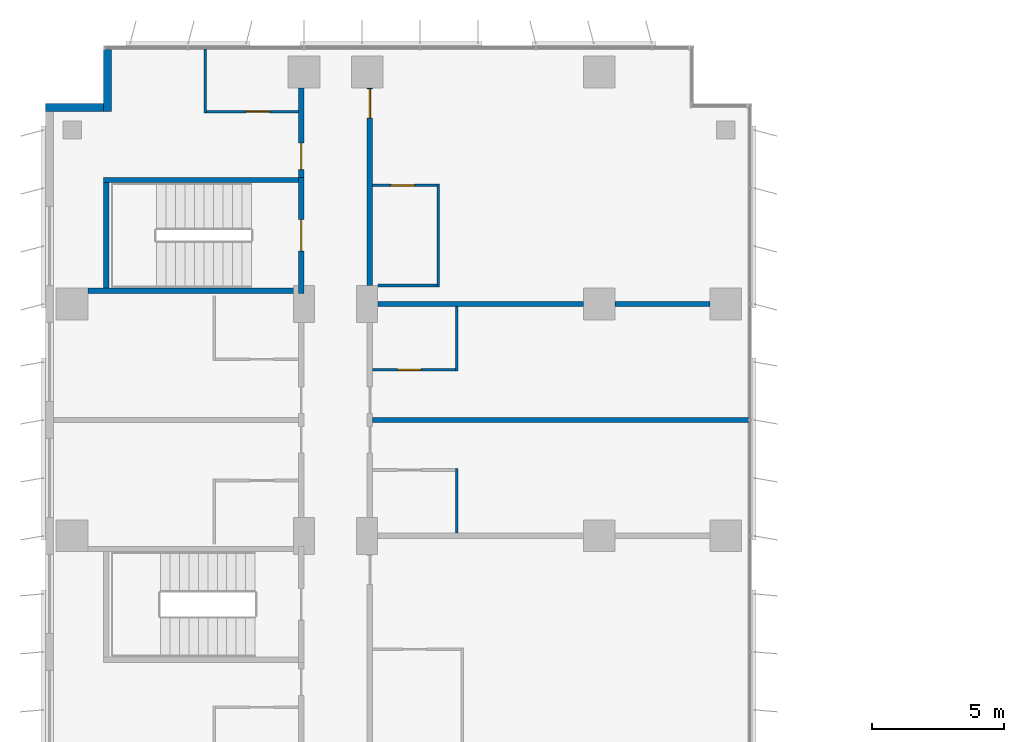
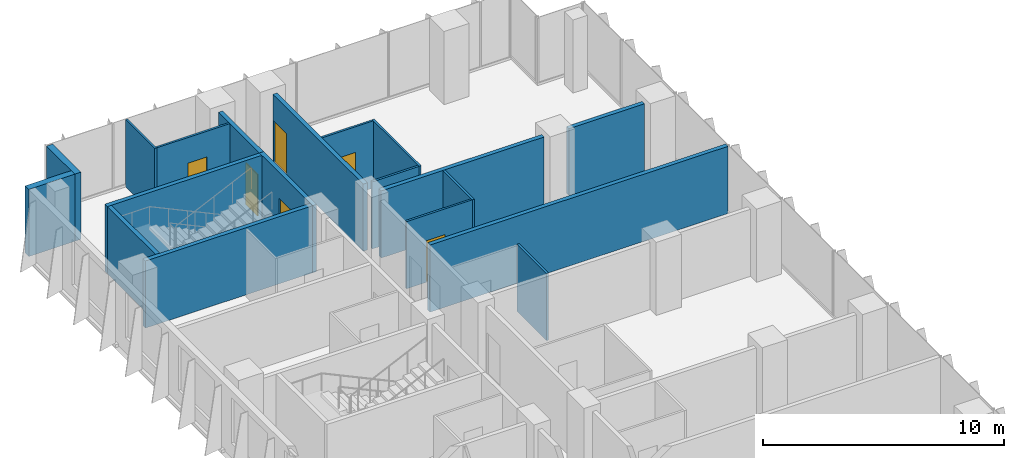
# One storey, part 18 of 23: 19 walls, 6 doors, 6 openings.
"""IFC4 building model written with IfcOpenShell, lengths in metres."""

import ifcopenshell
import ifcopenshell.guid

model = None  # the IFC model being written
_history = None  # IfcOwnerHistory: only IFC2X3 demands one
_inside = {}  # id of a spatial element -> (the spatial element, [elements in it])
_under = {}  # id of a project, library or spatial element -> (it, [spatial elements below it])
_declared = {}  # id of a project -> (the project, [libraries it declares])
_typed = {}  # id of a type object -> (the type object, [elements of that type])
_made_of = {}  # id of a material, layer set ... -> (it, [elements and type objects made of it])


def new_model(schema):
    """Start an empty IFC model of exactly this schema.

    Asked for "IFC4X3", IfcOpenShell would pick the latest addendum, in which some entities
    have other attributes; the version numbers below select the first issue.
    IFC2X3 requires an IfcOwnerHistory on every rooted entity: one is made here for all.
    """
    global model, _history
    if schema == "IFC4X3":
        model = ifcopenshell.file(schema_version=(4, 3, 0, 0))
    else:
        model = ifcopenshell.file(schema=schema)
    _inside.clear()
    _under.clear()
    _declared.clear()
    _typed.clear()
    _made_of.clear()
    _history = None
    if model.schema == "IFC2X3":
        org = make("IfcOrganization", Name="unknown")
        user = make(
            "IfcPersonAndOrganization",
            ThePerson=make("IfcPerson", FamilyName="unknown"),
            TheOrganization=org,
        )
        app = make(
            "IfcApplication",
            ApplicationDeveloper=org,
            Version="unknown",
            ApplicationFullName="unknown",
            ApplicationIdentifier="unknown",
        )
        _history = make(
            "IfcOwnerHistory",
            OwningUser=user,
            OwningApplication=app,
            ChangeAction="ADDED",
            CreationDate=0,
        )
    return model


def make(cls, **values):
    """One entity of the class cls with the attributes given. An attribute that is None is left unset."""
    return model.create_entity(
        cls, **{name: value for name, value in values.items() if value is not None}
    )


def rooted(cls, **values):
    """An entity with a GlobalId (a new one), such as an element, a storey or a relation."""
    return make(cls, GlobalId=ifcopenshell.guid.new(), OwnerHistory=_history, **values)


def si_unit(unit_type, name, prefix=None):
    """IfcSIUnit, for example si_unit("LENGTHUNIT", "METRE", prefix="MILLI")."""
    return make("IfcSIUnit", UnitType=unit_type, Prefix=prefix, Name=name)


def assignment(units):
    """IfcUnitAssignment: the units of a project."""
    return None if units is None else make("IfcUnitAssignment", Units=units)


def point(xyz):
    """IfcCartesianPoint."""
    return None if xyz is None else make("IfcCartesianPoint", Coordinates=xyz)


def direction(xyz):
    """IfcDirection."""
    return None if xyz is None else make("IfcDirection", DirectionRatios=xyz)


def frame(location, z_axis=None, x_axis=None):
    """IfcAxis2Placement3D, a coordinate frame: its origin and axes. An axis left out is left unset."""
    return make(
        "IfcAxis2Placement3D",
        Location=point(location),
        Axis=direction(z_axis),
        RefDirection=direction(x_axis),
    )


def frame_2d(location, x_axis=None):
    """IfcAxis2Placement2D, a coordinate frame in the plane: its origin and x axis."""
    return make(
        "IfcAxis2Placement2D", Location=point(location), RefDirection=direction(x_axis)
    )


def origin():
    """The frame at (0, 0, 0) with its axes left unset."""
    return frame((0.0, 0.0, 0.0))


def place(relative_to, where):
    """IfcLocalPlacement: puts the frame where relative to a parent placement (None: the world)."""
    return make(
        "IfcLocalPlacement", PlacementRelTo=relative_to, RelativePlacement=where
    )


def context(
    kind, dimensions, precision=None, world=None, true_north=None, identifier=None
):
    """IfcGeometricRepresentationContext, for example the 3D "Model" context."""
    return make(
        "IfcGeometricRepresentationContext",
        ContextIdentifier=identifier,
        ContextType=kind,
        CoordinateSpaceDimension=dimensions,
        Precision=precision,
        WorldCoordinateSystem=world,
        TrueNorth=true_north,
    )


def subcontext(parent, identifier, kind, view, scale=None):
    """IfcGeometricRepresentationSubContext, for example "Body" below "Model"."""
    return make(
        "IfcGeometricRepresentationSubContext",
        ContextIdentifier=identifier,
        ContextType=kind,
        ParentContext=parent,
        TargetScale=scale,
        TargetView=view,
    )


def project(units=None, contexts=None):
    """IfcProject with its units and contexts."""
    return rooted(
        "IfcProject",
        Name="project",
        RepresentationContexts=contexts,
        UnitsInContext=assignment(units),
    )


def spatial(cls, under=None, at=None, **own):
    """A site, building, storey or space (cls), placed at a placement, below another one or the project."""
    s = rooted(cls, ObjectPlacement=at, **own)
    if under is not None:
        _under.setdefault(under.id(), (under, []))[1].append(s)
    return s


def profile(cls, at=None, kind="AREA", **sizes):
    """A parametric profile (cls). Its sizes go by their IFC names, for example OverallWidth=200.0."""
    return make(cls, ProfileType=kind, Position=at, **sizes)


def rectangle(**sizes):
    """IfcRectangleProfileDef."""
    return profile("IfcRectangleProfileDef", **sizes)


def extrude(swept, where, along, depth):
    """IfcExtrudedAreaSolid: the profile swept, set in the frame where, extruded along a direction by depth."""
    return make(
        "IfcExtrudedAreaSolid",
        SweptArea=swept,
        Position=where,
        ExtrudedDirection=direction(along),
        Depth=depth,
    )


def shape(context_of_items, identifier, shape_type, items):
    """IfcShapeRepresentation: the items that make up one representation, for example the "Body"."""
    return make(
        "IfcShapeRepresentation",
        ContextOfItems=context_of_items,
        RepresentationIdentifier=identifier,
        RepresentationType=shape_type,
        Items=items,
    )


def material(Name=None, Category=None):
    """IfcMaterial."""
    return make("IfcMaterial", Name=Name, Category=Category)


def layer(
    of_material, thickness, ventilated=None, Name=None, Category=None, Priority=None
):
    """IfcMaterialLayer: one layer of a wall or slab, of a material (None: an air gap)."""
    return make(
        "IfcMaterialLayer",
        Material=of_material,
        LayerThickness=thickness,
        IsVentilated=ventilated,
        Name=Name,
        Category=Category,
        Priority=Priority,
    )


def layer_set(layers, Name=None):
    """IfcMaterialLayerSet."""
    return make("IfcMaterialLayerSet", MaterialLayers=layers, LayerSetName=Name)


def made_of(thing, what):
    """Note that an element or type object is made of a material, layer set ...; save() writes the relation."""
    if what is not None:
        _made_of.setdefault(what.id(), (what, []))[1].append(thing)
    return thing


def type_object(cls, material=None, **own):
    """A type object (cls), such as IfcWallType, which elements share."""
    return made_of(rooted(cls, **own), material)


def element(
    cls,
    number,
    at=None,
    inside=None,
    cuts=None,
    type_object=None,
    material=None,
    context=None,
    identifier="Body",
    shape_type=None,
    held_by="IfcProductDefinitionShape",
    body=None,
    shapes=None,
    **own,
):
    """One element of the class cls, such as IfcWall. Its Tag is "e" and its number.

    at: its placement. inside: the storey or other place that contains it. cuts: it is an
    opening in that element (IfcRelVoidsElement). A single representation is given by context,
    identifier, shape_type and body (its items); several are given by shapes. held_by: the class
    of the entity that holds the representations. save() writes the other relations.
    """
    e = rooted(cls, Tag="e%d" % number, ObjectPlacement=at, **own)
    if body is not None:
        shapes = [shape(context, identifier, shape_type, body)]
    if shapes is not None:
        e.Representation = make(held_by, Representations=shapes)
    if inside is not None:
        _inside.setdefault(inside.id(), (inside, []))[1].append(e)
    if cuts is not None:
        rooted(
            "IfcRelVoidsElement", RelatingBuildingElement=cuts, RelatedOpeningElement=e
        )
    if type_object is not None:
        _typed.setdefault(type_object.id(), (type_object, []))[1].append(e)
    return made_of(e, material)


def fill(opening, filler):
    """IfcRelFillsElement: the door or window that sits in an opening."""
    return rooted(
        "IfcRelFillsElement",
        RelatingOpeningElement=opening,
        RelatedBuildingElement=filler,
    )


def aggregate(whole, parts):
    """IfcRelAggregates: a whole, such as a stair, and the parts it consists of."""
    return rooted("IfcRelAggregates", RelatingObject=whole, RelatedObjects=parts)


def save(model, path):
    """Write the relations noted so far, then the file.

    IfcRelAggregates (storeys below a building ...), IfcRelContainedInSpatialStructure (elements
    in a storey), IfcRelDefinesByType, IfcRelAssociatesMaterial and IfcRelDeclares: one each for
    every whole, place, type object, material and project.
    """
    for whole, parts in _under.values():
        aggregate(whole, parts)
    for where, things in _inside.values():
        rooted(
            "IfcRelContainedInSpatialStructure",
            RelatedElements=things,
            RelatingStructure=where,
        )
    for kind, things in _typed.values():
        rooted("IfcRelDefinesByType", RelatedObjects=things, RelatingType=kind)
    for what, things in _made_of.values():
        rooted("IfcRelAssociatesMaterial", RelatedObjects=things, RelatingMaterial=what)
    for by, libraries in _declared.values():
        rooted("IfcRelDeclares", RelatingContext=by, RelatedDefinitions=libraries)
    model.write(path)


model = new_model("IFC4")

# Units and contexts
model_context = context("Model", 3, precision=1e-05, world=origin(), true_north=direction((0.0, 1.0)))
body_context = subcontext(model_context, "Body", "Model", "MODEL_VIEW")
ifc_project = project(units=[si_unit("LENGTHUNIT", "METRE"), si_unit("AREAUNIT", "SQUARE_METRE"), si_unit("VOLUMEUNIT", "CUBIC_METRE"), si_unit("PLANEANGLEUNIT", "RADIAN"), si_unit("MASSUNIT", "GRAM", prefix="KILO")], contexts=[model_context])

# Site, building, storey
site_placement = place(None, origin())
site = spatial("IfcSite", under=ifc_project, at=site_placement, CompositionType="ELEMENT")
building_placement = place(site_placement, origin())
building = spatial("IfcBuilding", under=site, at=building_placement, Name="Kemantara Hotel Tower", CompositionType="ELEMENT")
storey_placement = place(building_placement, frame((0.0, 0.0, 118.5)))
storey = spatial("IfcBuildingStorey", under=building, at=storey_placement, Name="L28", CompositionType="ELEMENT", Elevation=118.5)

# Walls
ifc_material_1 = material(Name="Bronze anodised aluminium cladding on insulated steel stud wall", Category="steel")
ifc_layer_1 = layer(ifc_material_1, 0.300048828125)
ifc_layer_set_1 = layer_set([ifc_layer_1], Name="Bronze anodised aluminium cladding on insulated steel stud wall")
wall_type_1 = type_object("IfcWallType", Name="BRONZE METAL-CLAD EXTERNAL WALL 300", PredefinedType="STANDARD", material=ifc_layer_set_1)
wall_1_placement = place(storey_placement, frame((2.35009765625, 81.050048828125, 0.0), z_axis=(0.0, 0.0, 1.0), x_axis=(0.0, -1.0, 0.0)))
element("IfcWall", 1, at=wall_1_placement, inside=storey, type_object=wall_type_1, Name="EXTERNAL WALL L28 T2-R02", PredefinedType="STANDARD", context=body_context, shape_type="SweptSolid", body=[
    extrude(rectangle(XDim=2.35009765625, YDim=0.300048828125, at=frame_2d((1.175048828125, 0.0))), origin(), (0.0, 0.0, 1.0), 3.39990234375),
])
wall_2_placement = place(storey_placement, frame((2.199951171875, 78.85009765625, 0.0), z_axis=(0.0, 0.0, 1.0), x_axis=(-1.0, 0.0, 0.0)))
element("IfcWall", 2, at=wall_2_placement, inside=storey, type_object=wall_type_1, Name="EXTERNAL WALL L28 T2-R03", PredefinedType="STANDARD", context=body_context, shape_type="SweptSolid", body=[
    extrude(rectangle(XDim=2.199951171875, YDim=0.300048828125, at=frame_2d((1.10009765625, 0.0))), origin(), (0.0, 0.0, 1.0), 3.39990234375),
])

# Wall, opening, door
ifc_material_2 = material(Name="Gypsum board partition, steel studs and mineral wool, 200 mm", Category="steel")
ifc_layer_2 = layer(ifc_material_2, 0.199951171875)
ifc_layer_set_2 = layer_set([ifc_layer_2], Name="Gypsum board partition, steel studs and mineral wool, 200 mm")
wall_type_2 = type_object("IfcWallType", Name="CORRIDOR WALL 200", PredefinedType="PARTITIONING", material=ifc_layer_set_2)
wall_3_placement = place(storey_placement, frame((9.699951171875, 76.199951171875, 0.0), z_axis=(0.0, 0.0, 1.0), x_axis=(0.0, 1.0, 0.0)))
wall_3 = element("IfcWall", 3, at=wall_3_placement, inside=storey, type_object=wall_type_2, Name="CORRIDOR WALL 200 026", PredefinedType="PARTITIONING", context=body_context, shape_type="SweptSolid", body=[
    extrude(rectangle(XDim=3.39990234375, YDim=0.199951171875, at=frame_2d((1.699951171875, 0.0))), origin(), (0.0, 0.0, 1.0), 3.39990234375),
])
opening_1_placement = place(wall_3_placement, frame((0.300048828125, 0.0, 0.0)))
opening_1 = element("IfcOpeningElement", 4, at=opening_1_placement, cuts=wall_3, Name="Opening F12-043", PredefinedType="OPENING", context=body_context, shape_type="SweptSolid", body=[
    extrude(rectangle(XDim=1.0, YDim=2.10009765625, at=frame_2d((0.5, 1.050048828125))), frame((0.0, 0.10986328125, 0.0), z_axis=(0.0, -1.0, 0.0), x_axis=(1.0, 0.0, 0.0)), (0.0, 0.0, 1.0), 0.219970703125),
])
ifc_material_3 = material(Name="Hardwood veneer door leaf with steel frame", Category="steel")
door_type_1 = type_object("IfcDoorType", Name="GUEST ROOM DOOR 1000 X 2100 FD30S", OperationType="NOTDEFINED", PredefinedType="DOOR", material=ifc_material_3)
door_1_placement = place(opening_1_placement, origin())
door_1 = element("IfcDoor", 5, at=door_1_placement, inside=storey, type_object=door_type_1, Name="GUEST ROOM DOOR F12-043", OperationType="SINGLE_SWING_LEFT", OverallHeight=2.10009765625, OverallWidth=1.0, PredefinedType="DOOR", context=body_context, shape_type="SweptSolid", body=[
    extrude(rectangle(XDim=1.0, YDim=2.10009765625, at=frame_2d((0.5, 1.050048828125))), frame((0.0, 0.02490234375, 0.0), z_axis=(0.0, -1.0, 0.0), x_axis=(1.0, 0.0, 0.0)), (0.0, 0.0, 1.0), 0.050048828125),
])
fill(opening_1, door_1)

wall_4_placement = place(storey_placement, frame((12.300048828125, 79.599853515625, 0.0), z_axis=(0.0, 0.0, 1.0), x_axis=(0.0, -1.0, 0.0)))
wall_4 = element("IfcWall", 6, at=wall_4_placement, inside=storey, type_object=wall_type_2, Name="CORRIDOR WALL 200 050", PredefinedType="PARTITIONING", context=body_context, shape_type="SweptSolid", body=[
    extrude(rectangle(XDim=7.499755859375, YDim=0.199951171875, at=frame_2d((3.75, 0.0))), origin(), (0.0, 0.0, 1.0), 3.39990234375),
])
opening_2_placement = place(wall_4_placement, frame((0.0498046875, 0.0, 0.0)))
opening_2 = element("IfcOpeningElement", 7, at=opening_2_placement, cuts=wall_4, Name="Opening F12-061", PredefinedType="OPENING", context=body_context, shape_type="SweptSolid", body=[
    extrude(rectangle(XDim=1.10009765625, YDim=2.10009765625, at=frame_2d((0.550048828125, 1.050048828125))), frame((0.0, 0.10986328125, 0.0), z_axis=(0.0, -1.0, 0.0), x_axis=(1.0, 0.0, 0.0)), (0.0, 0.0, 1.0), 0.219970703125),
])
door_type_2 = type_object("IfcDoorType", Name="SUITE ENTRANCE DOOR 1100 X 2100 FD30S", OperationType="NOTDEFINED", PredefinedType="DOOR", material=ifc_material_3)
door_2_placement = place(opening_2_placement, origin())
door_2 = element("IfcDoor", 8, at=door_2_placement, inside=storey, type_object=door_type_2, Name="SUITE ENTRANCE DOOR F12-061", OperationType="SINGLE_SWING_LEFT", OverallHeight=2.10009765625, OverallWidth=1.10009765625, PredefinedType="DOOR", context=body_context, shape_type="SweptSolid", body=[
    extrude(rectangle(XDim=1.10009765625, YDim=2.10009765625, at=frame_2d((0.550048828125, 1.050048828125))), frame((0.0, 0.02490234375, 0.0), z_axis=(0.0, -1.0, 0.0), x_axis=(1.0, 0.0, 0.0)), (0.0, 0.0, 1.0), 0.050048828125),
])
fill(opening_2, door_2)

ifc_material_4 = material(Name="Concrete fc 40 MPa", Category="concrete")
ifc_layer_3 = layer(ifc_material_4, 0.199951171875)
ifc_layer_set_3 = layer_set([ifc_layer_3], Name="Concrete fc 40 MPa")
wall_type_3 = type_object("IfcWallType", Name="Concrete stair wall 200 mm", PredefinedType="SHEAR", material=ifc_layer_set_3)
wall_5_placement = place(storey_placement, frame((9.699951171875, 71.800048828125, 0.0), z_axis=(0.0, 0.0, 1.0), x_axis=(0.0, 1.0, 0.0)))
wall_5 = element("IfcWall", 9, at=wall_5_placement, inside=storey, type_object=wall_type_3, Name="Stair ST6 enclosure wall with door", PredefinedType="SHEAR", context=body_context, shape_type="SweptSolid", body=[
    extrude(rectangle(XDim=4.39990234375, YDim=0.199951171875, at=frame_2d((2.199951171875, 0.0))), origin(), (0.0, 0.0, 1.0), 3.39990234375),
])
opening_3_placement = place(wall_5_placement, frame((1.60009765625, 0.0, 0.0)))
opening_3 = element("IfcOpeningElement", 10, at=opening_3_placement, cuts=wall_5, Name="Opening ST6-C", PredefinedType="OPENING", context=body_context, shape_type="SweptSolid", body=[
    extrude(rectangle(XDim=1.199951171875, YDim=2.10009765625, at=frame_2d((0.60009765625, 1.050048828125))), frame((0.0, 0.10986328125, 0.0), z_axis=(0.0, -1.0, 0.0), x_axis=(1.0, 0.0, 0.0)), (0.0, 0.0, 1.0), 0.219970703125),
])
ifc_material_5 = material(Name="Steel fire door", Category="steel")
door_type_3 = type_object("IfcDoorType", Name="Fire door FD90 1200 x 2100", OperationType="NOTDEFINED", PredefinedType="DOOR", material=ifc_material_5)
door_3_placement = place(opening_3_placement, origin())
door_3 = element("IfcDoor", 11, at=door_3_placement, inside=storey, type_object=door_type_3, Name="Stair ST6 door", OperationType="SINGLE_SWING_RIGHT", OverallHeight=2.10009765625, OverallWidth=1.199951171875, PredefinedType="DOOR", context=body_context, shape_type="SweptSolid", body=[
    extrude(rectangle(XDim=1.199951171875, YDim=2.10009765625, at=frame_2d((0.60009765625, 1.050048828125))), frame((0.0, 0.02490234375, 0.0), z_axis=(0.0, -1.0, 0.0), x_axis=(1.0, 0.0, 0.0)), (0.0, 0.0, 1.0), 0.050048828125),
])
fill(opening_3, door_3)

# Walls
wall_6_placement = place(storey_placement, frame((2.199951171875, 76.10009765625, 0.0), z_axis=(0.0, 0.0, 1.0), x_axis=(1.0, 0.0, 0.0)))
element("IfcWall", 12, at=wall_6_placement, inside=storey, type_object=wall_type_3, Name="Stair ST6 enclosure wall N", PredefinedType="SHEAR", context=body_context, shape_type="SweptSolid", body=[
    extrude(rectangle(XDim=7.400146484375, YDim=0.199951171875, at=frame_2d((3.7001953125, 0.0))), origin(), (0.0, 0.0, 1.0), 3.39990234375),
])
wall_7_placement = place(storey_placement, frame((1.60009765625, 71.89990234375, 0.0), z_axis=(0.0, 0.0, 1.0), x_axis=(1.0, 0.0, 0.0)))
element("IfcWall", 13, at=wall_7_placement, inside=storey, type_object=wall_type_3, Name="Stair ST6 enclosure wall S", PredefinedType="SHEAR", context=body_context, shape_type="SweptSolid", body=[
    extrude(rectangle(XDim=8.0, YDim=0.199951171875, at=frame_2d((4.0, 0.0))), origin(), (0.0, 0.0, 1.0), 3.39990234375),
])
wall_8_placement = place(storey_placement, frame((2.300048828125, 72.0, 0.0), z_axis=(0.0, 0.0, 1.0), x_axis=(0.0, 1.0, 0.0)))
element("IfcWall", 14, at=wall_8_placement, inside=storey, type_object=wall_type_3, Name="Stair ST6 enclosure wall W", PredefinedType="SHEAR", context=body_context, shape_type="SweptSolid", body=[
    extrude(rectangle(XDim=4.0, YDim=0.199951171875, at=frame_2d((2.0, 0.0))), origin(), (0.0, 0.0, 1.0), 3.39990234375),
])
ifc_layer_4 = layer(ifc_material_2, 0.199951171875)
ifc_layer_set_4 = layer_set([ifc_layer_4], Name="Gypsum board partition, steel studs and mineral wool, 200 mm")
wall_type_4 = type_object("IfcWallType", Name="GUEST ROOM PARTY WALL 200", PredefinedType="PARTITIONING", material=ifc_layer_set_4)
wall_9_placement = place(storey_placement, frame((12.39990234375, 67.0, 0.0), z_axis=(0.0, 0.0, 1.0), x_axis=(1.0, 0.0, 0.0)))
element("IfcWall", 15, at=wall_9_placement, inside=storey, type_object=wall_type_4, Name="GUEST ROOM PARTY WALL 200 043", PredefinedType="PARTITIONING", context=body_context, shape_type="SweptSolid", body=[
    extrude(rectangle(XDim=14.27001953125, YDim=0.199951171875, at=frame_2d((7.135009765625, 0.0))), origin(), (0.0, 0.0, 1.0), 3.39990234375),
])
wall_10_placement = place(storey_placement, frame((12.60009765625, 71.39990234375, 0.0), z_axis=(0.0, 0.0, 1.0), x_axis=(1.0, 0.0, 0.0)))
element("IfcWall", 16, at=wall_10_placement, inside=storey, type_object=wall_type_4, Name="GUEST ROOM PARTY WALL 200 055", PredefinedType="PARTITIONING", context=body_context, shape_type="SweptSolid", body=[
    extrude(rectangle(XDim=7.7998046875, YDim=0.199951171875, at=frame_2d((3.89990234375, 0.0))), origin(), (0.0, 0.0, 1.0), 3.39990234375),
])
wall_11_placement = place(storey_placement, frame((21.60009765625, 71.39990234375, 0.0), z_axis=(0.0, 0.0, 1.0), x_axis=(1.0, 0.0, 0.0)))
element("IfcWall", 17, at=wall_11_placement, inside=storey, type_object=wall_type_4, Name="GUEST ROOM PARTY WALL 200 056", PredefinedType="PARTITIONING", context=body_context, shape_type="SweptSolid", body=[
    extrude(rectangle(XDim=3.599853515625, YDim=0.199951171875, at=frame_2d((1.7998046875, 0.0))), origin(), (0.0, 0.0, 1.0), 3.39990234375),
])
ifc_material_6 = material(Name="Gypsum board partition on steel studs, 100 mm", Category="steel")
ifc_layer_5 = layer(ifc_material_6, 0.10009765625)
ifc_layer_set_5 = layer_set([ifc_layer_5], Name="Gypsum board partition on steel studs, 100 mm")
wall_type_5 = type_object("IfcWallType", Name="ROOM PARTITION 100", PredefinedType="PARTITIONING", material=ifc_layer_set_5)
wall_12_placement = place(storey_placement, frame((6.050048828125, 78.64990234375, 0.0), z_axis=(0.0, 0.0, 1.0), x_axis=(0.0, 1.0, 0.0)))
element("IfcWall", 18, at=wall_12_placement, inside=storey, type_object=wall_type_5, Name="ROOM PARTITION 100 078", PredefinedType="PARTITIONING", context=body_context, shape_type="SweptSolid", body=[
    extrude(rectangle(XDim=2.420166015625, YDim=0.10009765625, at=frame_2d((1.2099609375, 0.0))), origin(), (0.0, 0.0, 1.0), 3.39990234375),
])

# Wall, opening, door
wall_13_placement = place(storey_placement, frame((6.10009765625, 78.699951171875, 0.0), z_axis=(0.0, 0.0, 1.0), x_axis=(1.0, 0.0, 0.0)))
wall_13 = element("IfcWall", 19, at=wall_13_placement, inside=storey, type_object=wall_type_5, Name="ROOM PARTITION 100 106", PredefinedType="PARTITIONING", context=body_context, shape_type="SweptSolid", body=[
    extrude(rectangle(XDim=3.5, YDim=0.10009765625, at=frame_2d((1.75, 0.0))), origin(), (0.0, 0.0, 1.0), 3.39990234375),
])
opening_4_placement = place(wall_13_placement, frame((1.5, 0.0, 0.0)))
opening_4 = element("IfcOpeningElement", 20, at=opening_4_placement, cuts=wall_13, Name="Opening F12-044", PredefinedType="OPENING", context=body_context, shape_type="SweptSolid", body=[
    extrude(rectangle(XDim=0.89990234375, YDim=2.10009765625, at=frame_2d((0.449951171875, 1.050048828125))), frame((0.0, 0.06005859375, 0.0), z_axis=(0.0, -1.0, 0.0), x_axis=(1.0, 0.0, 0.0)), (0.0, 0.0, 1.0), 0.1201171875),
])
door_type_4 = type_object("IfcDoorType", Name="BATHROOM DOOR 900 X 2100", OperationType="NOTDEFINED", PredefinedType="DOOR", material=ifc_material_3)
door_4_placement = place(opening_4_placement, origin())
door_4 = element("IfcDoor", 21, at=door_4_placement, inside=storey, type_object=door_type_4, Name="BATHROOM DOOR F12-044", OperationType="SINGLE_SWING_RIGHT", OverallHeight=2.10009765625, OverallWidth=0.89990234375, PredefinedType="DOOR", context=body_context, shape_type="SweptSolid", body=[
    extrude(rectangle(XDim=0.89990234375, YDim=2.10009765625, at=frame_2d((0.449951171875, 1.050048828125))), frame((0.0, 0.02490234375, 0.0), z_axis=(0.0, -1.0, 0.0), x_axis=(1.0, 0.0, 0.0)), (0.0, 0.0, 1.0), 0.050048828125),
])
fill(opening_4, door_4)

# Walls
for number, where, z_axis, x_axis, name in (
    (22, (15.60009765625, 62.699951171875, 0.0), (0.0, 0.0, 1.0), (0.0, 1.0, 0.0), "ROOM PARTITION 100 113"),
    (23, (15.60009765625, 68.85009765625, 0.0), (0.0, 0.0, 1.0), (0.0, 1.0, 0.0), "ROOM PARTITION 100 114"),
):
    element("IfcWall", number, at=place(storey_placement, frame(where, z_axis=z_axis, x_axis=x_axis)), inside=storey, type_object=wall_type_5, Name=name, PredefinedType="PARTITIONING", context=body_context, shape_type="SweptSolid", body=[
        extrude(rectangle(XDim=2.449951171875, YDim=0.10009765625, at=frame_2d((1.22509765625, 0.0))), origin(), (0.0, 0.0, 1.0), 3.39990234375),
    ])

# Wall, opening, door
wall_14_placement = place(storey_placement, frame((12.39990234375, 68.89990234375, 0.0), z_axis=(0.0, 0.0, 1.0), x_axis=(1.0, 0.0, 0.0)))
wall_14 = element("IfcWall", 24, at=wall_14_placement, inside=storey, type_object=wall_type_5, Name="ROOM PARTITION 100 119", PredefinedType="PARTITIONING", context=body_context, shape_type="SweptSolid", body=[
    extrude(rectangle(XDim=3.150146484375, YDim=0.10009765625, at=frame_2d((1.5751953125, 0.0))), origin(), (0.0, 0.0, 1.0), 3.39990234375),
])
opening_5_placement = place(wall_14_placement, frame((0.949951171875, 0.0, 0.0)))
opening_5 = element("IfcOpeningElement", 25, at=opening_5_placement, cuts=wall_14, Name="Opening F12-060", PredefinedType="OPENING", context=body_context, shape_type="SweptSolid", body=[
    extrude(rectangle(XDim=0.89990234375, YDim=2.10009765625, at=frame_2d((0.449951171875, 1.050048828125))), frame((0.0, 0.06005859375, 0.0), z_axis=(0.0, -1.0, 0.0), x_axis=(1.0, 0.0, 0.0)), (0.0, 0.0, 1.0), 0.1201171875),
])
door_5_placement = place(opening_5_placement, origin())
door_5 = element("IfcDoor", 26, at=door_5_placement, inside=storey, type_object=door_type_4, Name="BATHROOM DOOR F12-060", OperationType="SINGLE_SWING_LEFT", OverallHeight=2.10009765625, OverallWidth=0.89990234375, PredefinedType="DOOR", context=body_context, shape_type="SweptSolid", body=[
    extrude(rectangle(XDim=0.89990234375, YDim=2.10009765625, at=frame_2d((0.449951171875, 1.050048828125))), frame((0.0, 0.02490234375, 0.0), z_axis=(0.0, -1.0, 0.0), x_axis=(1.0, 0.0, 0.0)), (0.0, 0.0, 1.0), 0.050048828125),
])
fill(opening_5, door_5)

# Walls
wall_15_placement = place(storey_placement, frame((14.89990234375, 72.050048828125, 0.0), z_axis=(0.0, 0.0, 1.0), x_axis=(0.0, 1.0, 0.0)))
element("IfcWall", 27, at=wall_15_placement, inside=storey, type_object=wall_type_5, Name="ROOM PARTITION 100 120", PredefinedType="PARTITIONING", context=body_context, shape_type="SweptSolid", body=[
    extrude(rectangle(XDim=3.89990234375, YDim=0.10009765625, at=frame_2d((1.949951171875, 0.0))), origin(), (0.0, 0.0, 1.0), 3.39990234375),
])
wall_16_placement = place(storey_placement, frame((12.60009765625, 72.10009765625, 0.0), z_axis=(0.0, 0.0, 1.0), x_axis=(1.0, 0.0, 0.0)))
element("IfcWall", 28, at=wall_16_placement, inside=storey, type_object=wall_type_5, Name="ROOM PARTITION 100 121", PredefinedType="PARTITIONING", context=body_context, shape_type="SweptSolid", body=[
    extrude(rectangle(XDim=2.25, YDim=0.10009765625, at=frame_2d((1.125, 0.0))), origin(), (0.0, 0.0, 1.0), 3.39990234375),
])

# Wall, opening, door
wall_17_placement = place(storey_placement, frame((14.85009765625, 75.89990234375, 0.0), z_axis=(0.0, 0.0, 1.0), x_axis=(-1.0, 0.0, 0.0)))
wall_17 = element("IfcWall", 29, at=wall_17_placement, inside=storey, type_object=wall_type_5, Name="ROOM PARTITION 100 122", PredefinedType="PARTITIONING", context=body_context, shape_type="SweptSolid", body=[
    extrude(rectangle(XDim=2.4501953125, YDim=0.10009765625, at=frame_2d((1.22509765625, 0.0))), origin(), (0.0, 0.0, 1.0), 3.39990234375),
])
opening_6_placement = place(wall_17_placement, frame((0.85009765625, 0.0, 0.0)))
opening_6 = element("IfcOpeningElement", 30, at=opening_6_placement, cuts=wall_17, Name="Opening F12-062", PredefinedType="OPENING", context=body_context, shape_type="SweptSolid", body=[
    extrude(rectangle(XDim=0.89990234375, YDim=2.10009765625, at=frame_2d((0.449951171875, 1.050048828125))), frame((0.0, 0.06005859375, 0.0), z_axis=(0.0, -1.0, 0.0), x_axis=(1.0, 0.0, 0.0)), (0.0, 0.0, 1.0), 0.1201171875),
])
door_6_placement = place(opening_6_placement, origin())
door_6 = element("IfcDoor", 31, at=door_6_placement, inside=storey, type_object=door_type_4, Name="BATHROOM DOOR F12-062", OperationType="SINGLE_SWING_RIGHT", OverallHeight=2.10009765625, OverallWidth=0.89990234375, PredefinedType="DOOR", context=body_context, shape_type="SweptSolid", body=[
    extrude(rectangle(XDim=0.89990234375, YDim=2.10009765625, at=frame_2d((0.449951171875, 1.050048828125))), frame((0.0, 0.02490234375, 0.0), z_axis=(0.0, -1.0, 0.0), x_axis=(1.0, 0.0, 0.0)), (0.0, 0.0, 1.0), 0.050048828125),
])
fill(opening_6, door_6)

save(model, "model.ifc")
